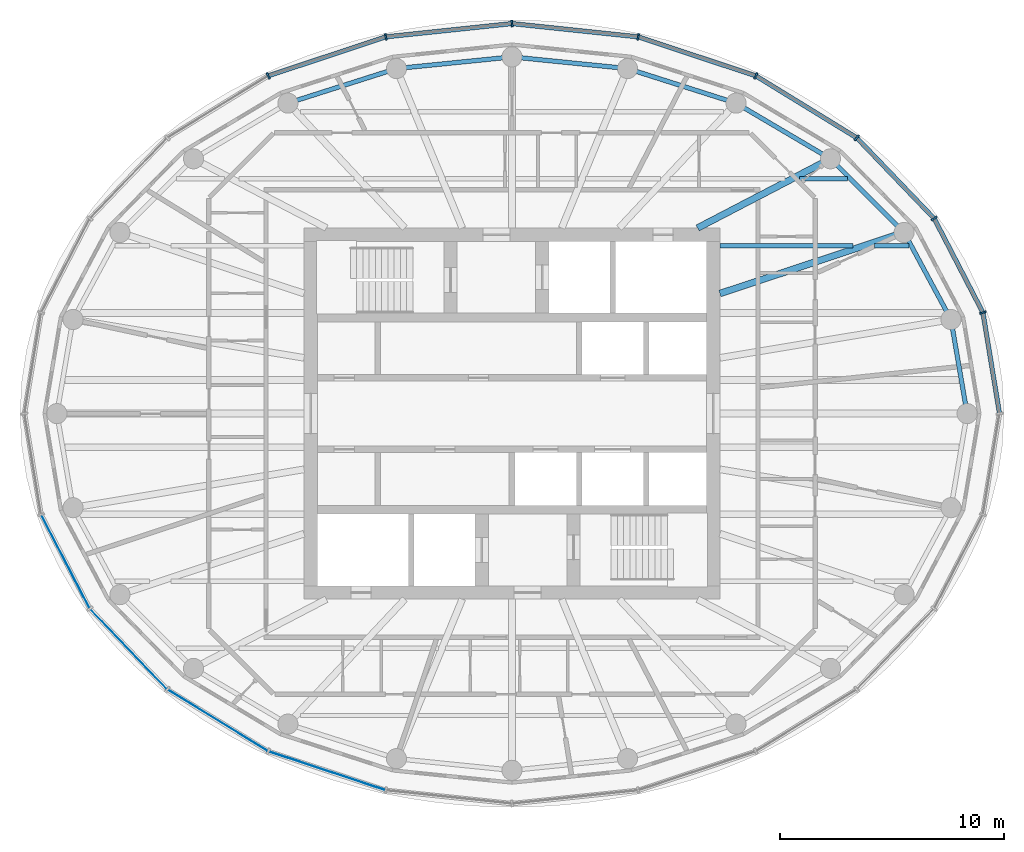
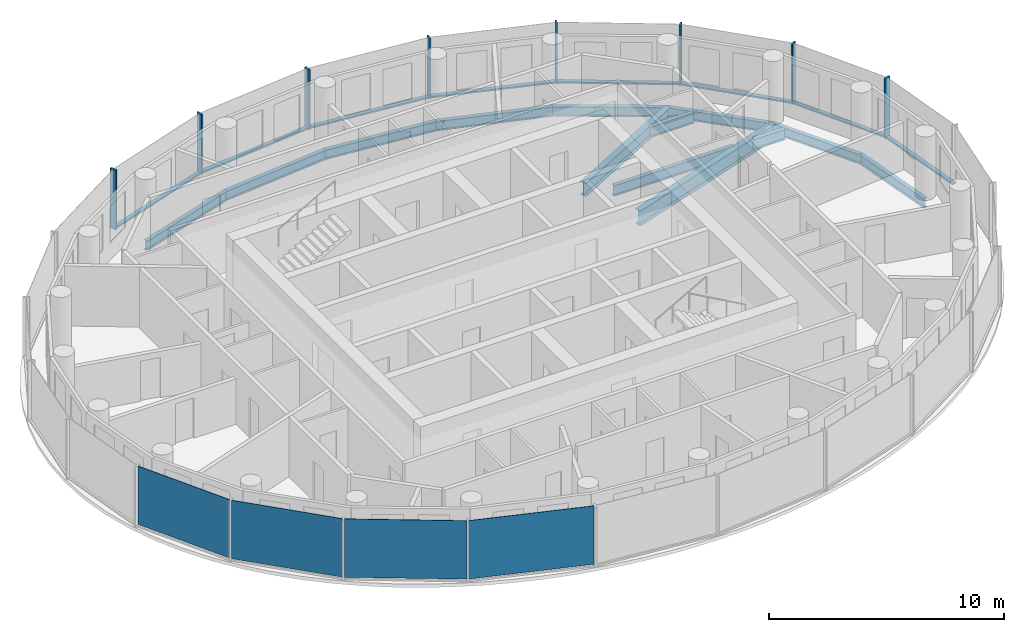
# One storey, part 3 of 11: 16 members, 13 beams, 4 plates, 3 elements without a shape of their own.
"""IFC4 building model written with IfcOpenShell, lengths in metres."""

from ifc_helpers import new_model, si_unit, direction, frame, origin, origin_2d, place, context, subcontext, project, spatial, rectangle, i_section, extrude, material, layer, layer_set, material_profile, profile_set, type_object, element, aggregate, save


model = new_model("IFC4")

# Units and contexts
model_context = context("Model", 3, precision=1e-05, world=origin(), true_north=direction((0.0, 1.0)))
body_context = subcontext(model_context, "Body", "Model", "MODEL_VIEW")
ifc_project = project(units=[si_unit("LENGTHUNIT", "METRE"), si_unit("AREAUNIT", "SQUARE_METRE"), si_unit("VOLUMEUNIT", "CUBIC_METRE"), si_unit("PLANEANGLEUNIT", "RADIAN"), si_unit("MASSUNIT", "GRAM", prefix="KILO")], contexts=[model_context])

# Site, building, storey
site_placement = place(None, origin())
site = spatial("IfcSite", under=ifc_project, at=site_placement, CompositionType="ELEMENT")
building_placement = place(site_placement, origin())
building = spatial("IfcBuilding", under=site, at=building_placement, Name="Hankou Lantern Tower", CompositionType="ELEMENT")
storey_placement = place(building_placement, frame((0.0, 0.0, 206.10009765625)))
storey = spatial("IfcBuildingStorey", under=building, at=storey_placement, Name="L55", CompositionType="ELEMENT", Elevation=206.10009765625)

# Beams
ifc_material_1 = material(Name="Steel Q355B", Category="steel")
ifc_material_profile_1 = material_profile(ifc_material_1, i_section(OverallWidth=0.199951171875, OverallDepth=0.5, WebThickness=0.010009765625, FlangeThickness=0.01611328125, FilletRadius=0.012939453125, at=origin_2d()), Name="HN500x200x10x16")
ifc_profile_set_1 = profile_set([ifc_material_profile_1], Name="Steel Q355B")
beam_type_1 = type_object("IfcBeamType", Name="EB5 RING BEAM HN500x200x10x16", PredefinedType="SPANDREL", material=ifc_profile_set_1)
beam_1_placement = place(storey_placement, frame((20.35009765625, 0.0, -0.43017578125), z_axis=(-0.168876512999, 0.98563721691, 0.0), x_axis=(-0.98563721691, -0.168876512999, 0.0)))
element("IfcBeam", 1, at=beam_1_placement, inside=storey, type_object=beam_type_1, Name="Ring beam R01-R02 L55", PredefinedType="SPANDREL", context=body_context, shape_type="SweptSolid", body=[
    extrude(i_section(OverallWidth=0.199951171875, OverallDepth=0.5, WebThickness=0.010009765625, FlangeThickness=0.01611328125, FilletRadius=0.012939453125, at=origin_2d()), origin(), (0.0, 0.0, 1.0), 4.26904296875),
])
beam_2_placement = place(storey_placement, frame((19.629150390625, 4.207763671875, -0.43017578125), z_axis=(-0.474491806611, 0.880259919262, 0.0), x_axis=(-0.880259919262, -0.474491806611, 0.0)))
element("IfcBeam", 2, at=beam_2_placement, inside=storey, type_object=beam_type_1, Name="Ring beam R02-R03 L55", PredefinedType="SPANDREL", context=body_context, shape_type="SweptSolid", body=[
    extrude(i_section(OverallWidth=0.199951171875, OverallDepth=0.5, WebThickness=0.010009765625, FlangeThickness=0.01611328125, FilletRadius=0.012939453125, at=origin_2d()), origin(), (0.0, 0.0, 1.0), 4.419189453125),
])
beam_3_placement = place(storey_placement, frame((17.5322265625, 8.097900390625, -0.43017578125), z_axis=(-0.706608588034, 0.707604623583, 0.0), x_axis=(-0.707604623583, -0.706608588034, 0.0)))
element("IfcBeam", 3, at=beam_3_placement, inside=storey, type_object=beam_type_1, Name="Ring beam R03-R04 L55", PredefinedType="SPANDREL", context=body_context, shape_type="SweptSolid", body=[
    extrude(i_section(OverallWidth=0.199951171875, OverallDepth=0.5, WebThickness=0.010009765625, FlangeThickness=0.01611328125, FilletRadius=0.012939453125, at=origin_2d()), origin(), (0.0, 0.0, 1.0), 4.6572265625),
])
beam_4_placement = place(storey_placement, frame((14.241455078125, 11.393310546875, -0.43017578125), z_axis=(-0.861422897323, 0.507888365655, 0.0), x_axis=(-0.507888365655, -0.861422897323, 0.0)))
element("IfcBeam", 4, at=beam_4_placement, inside=storey, type_object=beam_type_1, Name="Ring beam R04-R05 L55", PredefinedType="SPANDREL", context=body_context, shape_type="SweptSolid", body=[
    extrude(i_section(OverallWidth=0.199951171875, OverallDepth=0.5, WebThickness=0.010009765625, FlangeThickness=0.01611328125, FilletRadius=0.012939453125, at=origin_2d()), origin(), (0.0, 0.0, 1.0), 4.901611328125),
])
beam_5_placement = place(storey_placement, frame((10.01904296875, 13.8828125, -0.43017578125), z_axis=(-0.952887359315, 0.303324381574, 0.0), x_axis=(-0.303324381574, -0.952887359315, 0.0)))
element("IfcBeam", 5, at=beam_5_placement, inside=storey, type_object=beam_type_1, Name="Ring beam R05-R06 L55", PredefinedType="SPANDREL", context=body_context, shape_type="SweptSolid", body=[
    extrude(i_section(OverallWidth=0.199951171875, OverallDepth=0.5, WebThickness=0.010009765625, FlangeThickness=0.01611328125, FilletRadius=0.012939453125, at=origin_2d()), origin(), (0.0, 0.0, 1.0), 5.091796875),
])
for number, where, z_axis, x_axis, name in (
    (6, (5.167236328125, 15.42724609375, -0.43017578125), (-0.994922507736, 0.100643944676, 0.0), (-0.100643944676, -0.994922507736, 0.0), "Ring beam R06-R07 L55"),
    (7, (0.0, 15.949951171875, -0.43017578125), (-0.994922507736, -0.100643944676, 0.0), (0.100643944676, -0.994922507736, 0.0), "Ring beam R07-R08 L55"),
):
    element("IfcBeam", number, at=place(storey_placement, frame(where, z_axis=z_axis, x_axis=x_axis)), inside=storey, type_object=beam_type_1, Name=name, PredefinedType="SPANDREL", context=body_context, shape_type="SweptSolid", body=[
        extrude(i_section(OverallWidth=0.199951171875, OverallDepth=0.5, WebThickness=0.010009765625, FlangeThickness=0.01611328125, FilletRadius=0.012939453125, at=origin_2d()), origin(), (0.0, 0.0, 1.0), 5.193603515625),
    ])
beam_6_placement = place(storey_placement, frame((-5.167236328125, 15.42724609375, -0.43017578125), z_axis=(-0.952887359315, -0.303324381574, 0.0), x_axis=(0.303324381574, -0.952887359315, 0.0)))
element("IfcBeam", 8, at=beam_6_placement, inside=storey, type_object=beam_type_1, Name="Ring beam R08-R09 L55", PredefinedType="SPANDREL", context=body_context, shape_type="SweptSolid", body=[
    extrude(i_section(OverallWidth=0.199951171875, OverallDepth=0.5, WebThickness=0.010009765625, FlangeThickness=0.01611328125, FilletRadius=0.012939453125, at=origin_2d()), origin(), (0.0, 0.0, 1.0), 5.091796875),
])

# Curtain wall, members
ifc_material_2 = material(Name="Glass, dark grey tinted laminated", Category="glass")
curtain_wall_type = type_object("IfcCurtainWallType", Name="CWD OUTER SKIN SUITE", PredefinedType="USERDEFINED", material=ifc_material_2)
curtain_wall_1_placement = place(storey_placement, origin())
curtain_wall_1 = element("IfcCurtainWall", 9, at=curtain_wall_1_placement, inside=storey, type_object=curtain_wall_type, Name="CWD L55 OS1", ObjectType="OUTER SKIN SUITE", PredefinedType="USERDEFINED")
ifc_material_3 = material(Name="Aluminium, black anodised", Category="aluminium")
ifc_material_profile_2 = material_profile(ifc_material_3, rectangle(XDim=0.080078125, YDim=0.300048828125, at=origin_2d()), Name="MU1 80X300")
ifc_profile_set_2 = profile_set([ifc_material_profile_2], Name="Aluminium, black anodised")
member_type_1 = type_object("IfcMemberType", Name="MU1 OUTER SKIN MULLION 80X300", PredefinedType="MULLION", material=ifc_profile_set_2)
member_1_placement = place(storey_placement, frame((21.05712890625, 4.513916015625, 0.0), z_axis=(0.0, 0.0, 1.0), x_axis=(-0.317595577365, 0.94822626479, 0.0)))
member_1 = element("IfcMember", 10, at=member_1_placement, type_object=member_type_1, Name="CWD mullion 2", PredefinedType="MULLION", context=body_context, shape_type="SweptSolid", body=[
    extrude(rectangle(XDim=0.080078125, YDim=0.300048828125, at=origin_2d()), origin(), (0.0, 0.0, 1.0), 3.119873046875),
])
member_2_placement = place(storey_placement, frame((18.87939453125, 8.719970703125, 0.0), z_axis=(0.0, 0.0, 1.0), x_axis=(-0.585205735974, 0.810884854084, 0.0)))
member_2 = element("IfcMember", 11, at=member_2_placement, type_object=member_type_1, Name="CWD mullion 3", PredefinedType="MULLION", context=body_context, shape_type="SweptSolid", body=[
    extrude(rectangle(XDim=0.080078125, YDim=0.300048828125, at=origin_2d()), origin(), (0.0, 0.0, 1.0), 3.119873046875),
])
member_3_placement = place(storey_placement, frame((15.4150390625, 12.33203125, 0.0), z_axis=(0.0, 0.0, 1.0), x_axis=(-0.780868809444, 0.624695047553, 0.0)))
member_3 = element("IfcMember", 12, at=member_3_placement, type_object=member_type_1, Name="CWD mullion 4", PredefinedType="MULLION", context=body_context, shape_type="SweptSolid", body=[
    extrude(rectangle(XDim=0.080078125, YDim=0.300048828125, at=origin_2d()), origin(), (0.0, 0.0, 1.0), 3.119873046875),
])
member_4_placement = place(storey_placement, frame((10.89990234375, 15.103515625, 0.0), z_axis=(0.0, 0.0, 1.0), x_axis=(-0.907841299004, 0.419313934686, 0.0)))
member_4 = element("IfcMember", 13, at=member_4_placement, type_object=member_type_1, Name="CWD mullion 5", PredefinedType="MULLION", context=body_context, shape_type="SweptSolid", body=[
    extrude(rectangle(XDim=0.080078125, YDim=0.300048828125, at=origin_2d()), origin(), (0.0, 0.0, 1.0), 3.119873046875),
])
member_5_placement = place(storey_placement, frame((5.642333984375, 16.845703125, 0.0), z_axis=(0.0, 0.0, 1.0), x_axis=(-0.977787659625, 0.209597931016, 0.0)))
member_5 = element("IfcMember", 14, at=member_5_placement, type_object=member_type_1, Name="CWD mullion 6", PredefinedType="MULLION", context=body_context, shape_type="SweptSolid", body=[
    extrude(rectangle(XDim=0.080078125, YDim=0.300048828125, at=origin_2d()), origin(), (0.0, 0.0, 1.0), 3.119873046875),
])

curtain_wall_2_placement = place(storey_placement, origin())
curtain_wall_2 = element("IfcCurtainWall", 15, at=curtain_wall_2_placement, inside=storey, type_object=curtain_wall_type, Name="CWD L55 OS2", ObjectType="OUTER SKIN SUITE", PredefinedType="USERDEFINED")
member_6_placement = place(storey_placement, frame((0.0, 17.43994140625, 0.0), z_axis=(0.0, 0.0, 1.0), x_axis=(-0.994499359107, -0.104742659579, 0.0)))
member_6 = element("IfcMember", 16, at=member_6_placement, type_object=member_type_1, Name="CWD mullion 1", PredefinedType="MULLION", context=body_context, shape_type="SweptSolid", body=[
    extrude(rectangle(XDim=0.080078125, YDim=0.300048828125, at=origin_2d()), origin(), (0.0, 0.0, 1.0), 3.119873046875),
])
member_7_placement = place(storey_placement, frame((-5.642333984375, 16.845703125, 0.0), z_axis=(0.0, 0.0, 1.0), x_axis=(-0.977787659625, -0.209597931016, 0.0)))
member_7 = element("IfcMember", 17, at=member_7_placement, type_object=member_type_1, Name="CWD mullion 2", PredefinedType="MULLION", context=body_context, shape_type="SweptSolid", body=[
    extrude(rectangle(XDim=0.080078125, YDim=0.300048828125, at=origin_2d()), origin(), (0.0, 0.0, 1.0), 3.119873046875),
])
member_8_placement = place(storey_placement, frame((-10.89990234375, 15.103515625, 0.0), z_axis=(0.0, 0.0, 1.0), x_axis=(-0.907841299004, -0.419313934686, 0.0)))
member_8 = element("IfcMember", 18, at=member_8_placement, type_object=member_type_1, Name="CWD mullion 3", PredefinedType="MULLION", context=body_context, shape_type="SweptSolid", body=[
    extrude(rectangle(XDim=0.080078125, YDim=0.300048828125, at=origin_2d()), origin(), (0.0, 0.0, 1.0), 3.119873046875),
])

# Beams
ifc_material_4 = material(Name="Steel Q355B", Category="steel")
ifc_material_profile_3 = material_profile(ifc_material_4, i_section(OverallWidth=0.300048828125, OverallDepth=0.800048828125, WebThickness=0.013916015625, FlangeThickness=0.02587890625, FilletRadius=0.01806640625, at=origin_2d()), Name="HN800x300x14x26")
ifc_profile_set_3 = profile_set([ifc_material_profile_3], Name="Steel Q355B")
beam_type_2 = type_object("IfcBeamType", Name="RB11 RADIAL BEAM HN800x300x14x26", PredefinedType="BEAM", material=ifc_profile_set_3)
beam_7_placement = place(storey_placement, frame((9.300048828125, 5.369384765625, -0.580078125), z_axis=(0.949219608576, 0.314614263337, 0.0), x_axis=(-0.314614263337, 0.949219608576, 0.0)))
element("IfcBeam", 19, at=beam_7_placement, inside=storey, type_object=beam_type_2, Name="Radial beam R03 L55", PredefinedType="BEAM", context=body_context, shape_type="SweptSolid", body=[
    extrude(i_section(OverallWidth=0.300048828125, OverallDepth=0.800048828125, WebThickness=0.013916015625, FlangeThickness=0.02587890625, FilletRadius=0.01806640625, at=origin_2d()), origin(), (0.0, 0.0, 1.0), 8.672607421875),
])
ifc_material_5 = material(Name="Steel Q355B", Category="steel")
ifc_material_profile_4 = material_profile(ifc_material_5, i_section(OverallWidth=0.300048828125, OverallDepth=0.699951171875, WebThickness=0.012939453125, FlangeThickness=0.02392578125, FilletRadius=0.01806640625, at=origin_2d()), Name="HN700x300x13x24")
ifc_profile_set_4 = profile_set([ifc_material_profile_4], Name="Steel Q355B")
beam_type_3 = type_object("IfcBeamType", Name="RB9 RADIAL BEAM HN700x300x13x24", PredefinedType="BEAM", material=ifc_profile_set_4)
beam_8_placement = place(storey_placement, frame((8.300048828125, 8.300048828125, -0.530029296875), z_axis=(0.886988734783, 0.461791061378, 0.0), x_axis=(-0.461791061378, 0.886988734783, 0.0)))
element("IfcBeam", 20, at=beam_8_placement, inside=storey, type_object=beam_type_3, Name="Radial beam R04 L55", PredefinedType="BEAM", context=body_context, shape_type="SweptSolid", body=[
    extrude(i_section(OverallWidth=0.300048828125, OverallDepth=0.699951171875, WebThickness=0.012939453125, FlangeThickness=0.02392578125, FilletRadius=0.01806640625, at=origin_2d()), origin(), (0.0, 0.0, 1.0), 6.698486328125),
])
ifc_material_6 = material(Name="Steel Q355B", Category="steel")
ifc_material_profile_5 = material_profile(ifc_material_6, i_section(OverallWidth=0.199951171875, OverallDepth=0.550048828125, WebThickness=0.010009765625, FlangeThickness=0.01611328125, FilletRadius=0.012939453125, at=origin_2d()), Name="HN550x200x10x16")
ifc_profile_set_5 = profile_set([ifc_material_profile_5], Name="Steel Q355B")
beam_type_4 = type_object("IfcBeamType", Name="SB6 SECONDARY BEAM HN550x200x10x16", PredefinedType="JOIST", material=ifc_profile_set_5)
beam_9_placement = place(storey_placement, frame((9.300048828125, 7.5, -0.455078125), z_axis=(1.0, 0.0, 0.0), x_axis=(0.0, 1.0, 0.0)))
element("IfcBeam", 21, at=beam_9_placement, inside=storey, type_object=beam_type_4, Name="Floor joist J027 L55", PredefinedType="JOIST", context=body_context, shape_type="SweptSolid", body=[
    extrude(i_section(OverallWidth=0.199951171875, OverallDepth=0.550048828125, WebThickness=0.010009765625, FlangeThickness=0.01611328125, FilletRadius=0.012939453125, at=origin_2d()), origin(), (0.0, 0.0, 1.0), 5.95166015625),
])
beam_10_placement = place(storey_placement, frame((16.205322265625, 7.5, -0.455078125), z_axis=(1.0, 0.0, 0.0), x_axis=(0.0, 1.0, 0.0)))
element("IfcBeam", 22, at=beam_10_placement, inside=storey, type_object=beam_type_4, Name="Floor joist J028 L55", PredefinedType="JOIST", context=body_context, shape_type="SweptSolid", body=[
    extrude(i_section(OverallWidth=0.199951171875, OverallDepth=0.550048828125, WebThickness=0.010009765625, FlangeThickness=0.01611328125, FilletRadius=0.012939453125, at=origin_2d()), origin(), (0.0, 0.0, 1.0), 1.53564453125),
])
beam_11_placement = place(storey_placement, frame((12.8505859375, 10.5, -0.455078125), z_axis=(1.0, 0.0, 0.0), x_axis=(0.0, 1.0, 0.0)))
element("IfcBeam", 23, at=beam_11_placement, inside=storey, type_object=beam_type_4, Name="Floor joist J036 L55", PredefinedType="JOIST", context=body_context, shape_type="SweptSolid", body=[
    extrude(i_section(OverallWidth=0.199951171875, OverallDepth=0.550048828125, WebThickness=0.010009765625, FlangeThickness=0.01611328125, FilletRadius=0.012939453125, at=origin_2d()), origin(), (0.0, 0.0, 1.0), 2.1416015625),
])

# Member
ifc_material_7 = material(Name="Aluminium, black anodised", Category="aluminium")
ifc_material_profile_6 = material_profile(ifc_material_7, rectangle(XDim=0.199951171875, YDim=0.080078125, at=origin_2d()), Name="TR1 200X80")
ifc_profile_set_6 = profile_set([ifc_material_profile_6], Name="Aluminium, black anodised")
member_type_2 = type_object("IfcMemberType", Name="TR1 OUTER SKIN TRANSOM 200X80", PredefinedType="USERDEFINED", material=ifc_profile_set_6)
member_9_placement = place(storey_placement, frame((21.79345703125, 0.03955078125, 0.039794921875), z_axis=(-0.162363822839, 0.986730960816, 0.0), x_axis=(-0.986730960816, -0.162363822839, 0.0)))
member_9 = element("IfcMember", 24, at=member_9_placement, type_object=member_type_2, Name="CWD transom 1", ObjectType="TRANSOM", PredefinedType="USERDEFINED", context=body_context, shape_type="SweptSolid", body=[
    extrude(rectangle(XDim=0.199951171875, YDim=0.080078125, at=origin_2d()), origin(), (0.0, 0.0, 1.0), 4.494384765625),
])

member_10_placement = place(storey_placement, frame((21.038818359375, 4.54931640625, 0.039794921875), z_axis=(-0.45979371115, 0.888025755925, 0.0), x_axis=(-0.888025755925, -0.45979371115, 0.0)))
member_10 = element("IfcMember", 25, at=member_10_placement, type_object=member_type_2, Name="CWD transom 2", ObjectType="TRANSOM", PredefinedType="USERDEFINED", context=body_context, shape_type="SweptSolid", body=[
    extrude(rectangle(XDim=0.199951171875, YDim=0.080078125, at=origin_2d()), origin(), (0.0, 0.0, 1.0), 4.65673828125),
])

member_11_placement = place(storey_placement, frame((18.8515625, 8.748779296875, 0.039794921875), z_axis=(-0.692204633274, 0.721701285626, 0.0), x_axis=(-0.721701285626, -0.692204633274, 0.0)))
member_11 = element("IfcMember", 26, at=member_11_placement, type_object=member_type_2, Name="CWD transom 3", ObjectType="TRANSOM", PredefinedType="USERDEFINED", context=body_context, shape_type="SweptSolid", body=[
    extrude(rectangle(XDim=0.199951171875, YDim=0.080078125, at=origin_2d()), origin(), (0.0, 0.0, 1.0), 4.9248046875),
])

member_12_placement = place(storey_placement, frame((15.380859375, 12.352783203125, 0.039794921875), z_axis=(-0.852234544008, 0.523159900986, 0.0), x_axis=(-0.523159900986, -0.852234544008, 0.0)))
member_12 = element("IfcMember", 27, at=member_12_placement, type_object=member_type_2, Name="CWD transom 4", ObjectType="TRANSOM", PredefinedType="USERDEFINED", context=body_context, shape_type="SweptSolid", body=[
    extrude(rectangle(XDim=0.199951171875, YDim=0.080078125, at=origin_2d()), origin(), (0.0, 0.0, 1.0), 5.2177734375),
])

member_13_placement = place(storey_placement, frame((10.862060546875, 15.115966796875, 0.039794921875), z_axis=(-0.949231947668, 0.314577032739, 0.0), x_axis=(-0.314577032739, -0.949231947668, 0.0)))
member_13 = element("IfcMember", 28, at=member_13_placement, type_object=member_type_2, Name="CWD transom 5", ObjectType="TRANSOM", PredefinedType="USERDEFINED", context=body_context, shape_type="SweptSolid", body=[
    extrude(rectangle(XDim=0.199951171875, YDim=0.080078125, at=origin_2d()), origin(), (0.0, 0.0, 1.0), 5.458984375),
])

member_14_placement = place(storey_placement, frame((5.6025390625, 16.849853515625, 0.039794921875), z_axis=(-0.994498275726, 0.104752945435, 0.0), x_axis=(-0.104752945435, -0.994498275726, 0.0)))
member_14 = element("IfcMember", 29, at=member_14_placement, type_object=member_type_2, Name="CWD transom 6", ObjectType="TRANSOM", PredefinedType="USERDEFINED", context=body_context, shape_type="SweptSolid", body=[
    extrude(rectangle(XDim=0.199951171875, YDim=0.080078125, at=origin_2d()), origin(), (0.0, 0.0, 1.0), 5.593505859375),
])

aggregate(curtain_wall_1, [member_1, member_2, member_3, member_4, member_5, member_9, member_10, member_11, member_12, member_13, member_14])

member_15_placement = place(storey_placement, frame((-0.039794921875, 17.435791015625, 0.039794921875), z_axis=(-0.994498275726, -0.104752945435, 0.0), x_axis=(0.104752945435, -0.994498275726, 0.0)))
member_15 = element("IfcMember", 30, at=member_15_placement, type_object=member_type_2, Name="CWD transom 1", ObjectType="TRANSOM", PredefinedType="USERDEFINED", context=body_context, shape_type="SweptSolid", body=[
    extrude(rectangle(XDim=0.199951171875, YDim=0.080078125, at=origin_2d()), origin(), (0.0, 0.0, 1.0), 5.593505859375),
])

member_16_placement = place(storey_placement, frame((-5.68017578125, 16.833251953125, 0.039794921875), z_axis=(-0.949231947668, -0.314577032739, 0.0), x_axis=(0.314577032739, -0.949231947668, 0.0)))
member_16 = element("IfcMember", 31, at=member_16_placement, type_object=member_type_2, Name="CWD transom 2", ObjectType="TRANSOM", PredefinedType="USERDEFINED", context=body_context, shape_type="SweptSolid", body=[
    extrude(rectangle(XDim=0.199951171875, YDim=0.080078125, at=origin_2d()), origin(), (0.0, 0.0, 1.0), 5.458984375),
])

aggregate(curtain_wall_2, [member_6, member_7, member_8, member_15, member_16])

# Curtain wall, plates
curtain_wall_3_placement = place(storey_placement, origin())
curtain_wall_3 = element("IfcCurtainWall", 32, at=curtain_wall_3_placement, inside=storey, type_object=curtain_wall_type, Name="CWD L55 OS3", ObjectType="OUTER SKIN SUITE", PredefinedType="USERDEFINED")
ifc_material_8 = material(Name="Glass, dark grey tinted laminated", Category="glass")
ifc_layer = layer(ifc_material_8, 0.02392578125)
ifc_layer_set = layer_set([ifc_layer], Name="Glass, dark grey tinted laminated")
plate_type = type_object("IfcPlateType", Name="PN1 OUTER SKIN GLASS PANEL", PredefinedType="CURTAIN_PANEL", material=ifc_layer_set)
plate_1_placement = place(storey_placement, frame((-19.96826171875, -6.616943359375, 0.079833984375), z_axis=(0.0, 0.0, 1.0), x_axis=(0.459791091957, -0.888027112062, 0.0)))
plate_1 = element("IfcPlate", 33, at=plate_1_placement, type_object=plate_type, Name="CWD glass panel 2", PredefinedType="CURTAIN_PANEL", context=body_context, shape_type="SweptSolid", body=[
    extrude(rectangle(XDim=4.656494140625, YDim=0.02392578125, at=origin_2d()), origin(), (0.0, 0.0, 1.0), 3.0400390625),
])
plate_2_placement = place(storey_placement, frame((-17.147216796875, -10.52587890625, 0.079833984375), z_axis=(0.0, 0.0, 1.0), x_axis=(0.692215809936, -0.721690565599, 0.0)))
plate_2 = element("IfcPlate", 34, at=plate_2_placement, type_object=plate_type, Name="CWD glass panel 3", PredefinedType="CURTAIN_PANEL", context=body_context, shape_type="SweptSolid", body=[
    extrude(rectangle(XDim=4.9248046875, YDim=0.02392578125, at=origin_2d()), origin(), (0.0, 0.0, 1.0), 3.0400390625),
])
plate_3_placement = place(storey_placement, frame((-13.157470703125, -13.7177734375, 0.079833984375), z_axis=(0.0, 0.0, 1.0), x_axis=(0.852237151549, -0.523155653242, 0.0)))
plate_3 = element("IfcPlate", 35, at=plate_3_placement, type_object=plate_type, Name="CWD glass panel 4", PredefinedType="CURTAIN_PANEL", context=body_context, shape_type="SweptSolid", body=[
    extrude(rectangle(XDim=5.2177734375, YDim=0.02392578125, at=origin_2d()), origin(), (0.0, 0.0, 1.0), 3.0400390625),
])
plate_4_placement = place(storey_placement, frame((-8.271240234375, -15.974609375, 0.079833984375), z_axis=(0.0, 0.0, 1.0), x_axis=(0.949240677293, -0.31455068999, 0.0)))
plate_4 = element("IfcPlate", 36, at=plate_4_placement, type_object=plate_type, Name="CWD glass panel 5", PredefinedType="CURTAIN_PANEL", context=body_context, shape_type="SweptSolid", body=[
    extrude(rectangle(XDim=5.458984375, YDim=0.02392578125, at=origin_2d()), origin(), (0.0, 0.0, 1.0), 3.0400390625),
])
aggregate(curtain_wall_3, [plate_1, plate_2, plate_3, plate_4])

save(model, "model.ifc")
